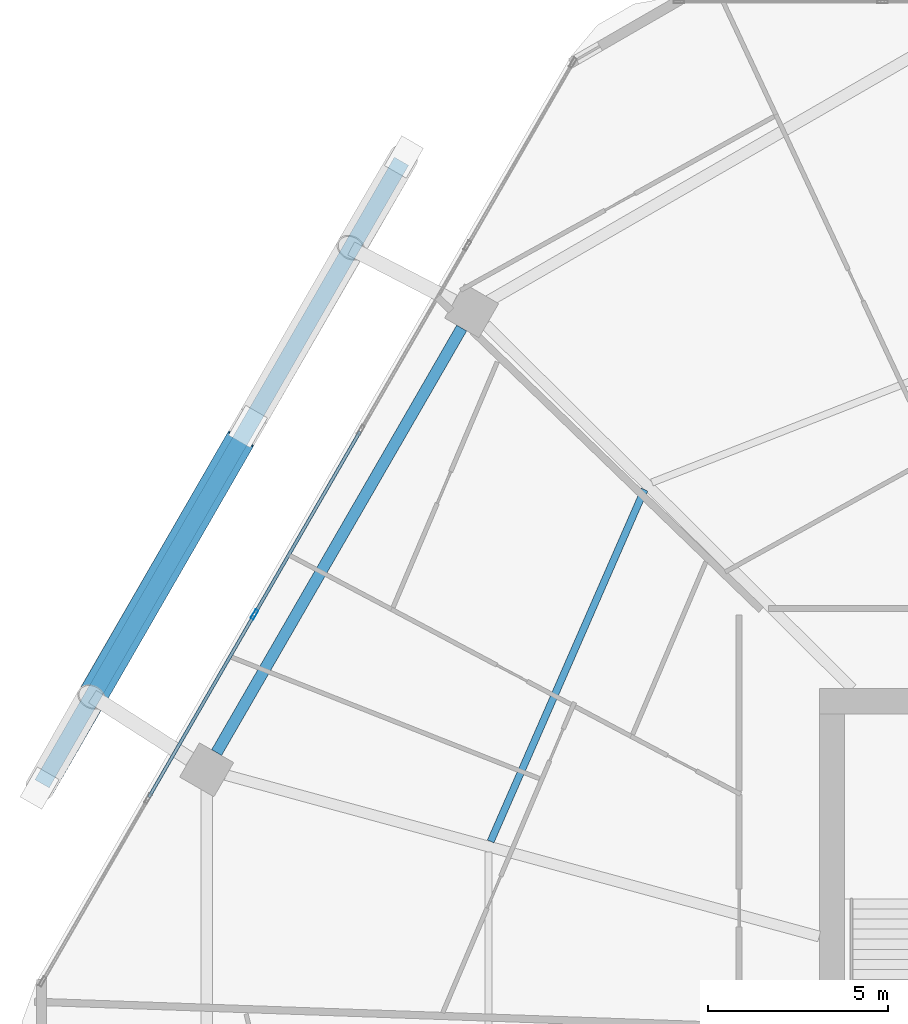
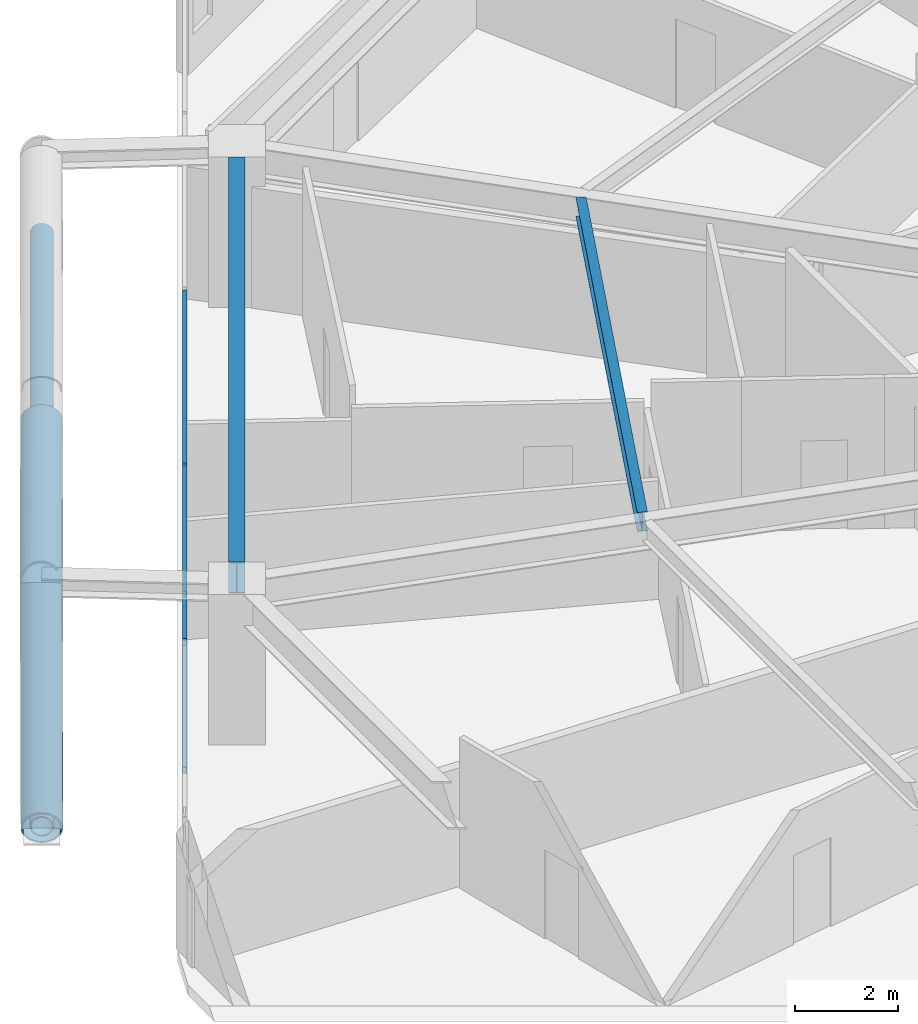
# One storey, part 16 of 35: 7 members, 2 beams, 1 element without a shape of its own.
"""IFC4 building model written with IfcOpenShell, lengths in metres."""

from ifc_helpers import new_model, si_unit, direction, frame, origin, origin_2d, place, context, subcontext, project, spatial, hollow_rectangle, hollow_circle, i_section, extrude, material, material_profile, profile_set, type_object, element, aggregate, save


model = new_model("IFC4")

# Units and contexts
model_context = context("Model", 3, precision=1e-05, world=origin(), true_north=direction((0.0, 1.0)))
body_context = subcontext(model_context, "Body", "Model", "MODEL_VIEW")
ifc_project = project(units=[si_unit("LENGTHUNIT", "METRE"), si_unit("AREAUNIT", "SQUARE_METRE"), si_unit("VOLUMEUNIT", "CUBIC_METRE"), si_unit("PLANEANGLEUNIT", "RADIAN"), si_unit("MASSUNIT", "GRAM", prefix="KILO")], contexts=[model_context])

# Site, building, storey
site_placement = place(None, origin())
site = spatial("IfcSite", under=ifc_project, at=site_placement, CompositionType="ELEMENT")
building_placement = place(site_placement, origin())
building = spatial("IfcBuilding", under=site, at=building_placement, Name="Zuhravey Tower", CompositionType="ELEMENT")
storey_placement = place(building_placement, frame((0.0, 0.0, 138.0)))
storey = spatial("IfcBuildingStorey", under=building, at=storey_placement, Name="L34", CompositionType="ELEMENT", Elevation=138.0)

# Curtain wall, members
ifc_material_1 = material(Name="Thermally broken anodised aluminium", Category="aluminium")
curtain_wall_type = type_object("IfcCurtainWallType", Name="Zone 1-2 Residential Curtain Wall CW3", PredefinedType="NOTDEFINED", material=ifc_material_1)
curtain_wall_placement = place(storey_placement, origin())
curtain_wall = element("IfcCurtainWall", 1, at=curtain_wall_placement, inside=storey, type_object=curtain_wall_type, Name="L34 CW3 CW-L34-F3-1", PredefinedType="NOTDEFINED")
ifc_material_2 = material(Name="Anodised aluminium", Category="aluminium")
ifc_material_profile_1 = material_profile(ifc_material_2, hollow_rectangle(XDim=0.090087890625, YDim=0.284912109375, WallThickness=0.0048828125, at=origin_2d()), Name="ALU-RHS-90x285x5")
ifc_profile_set_1 = profile_set([ifc_material_profile_1], Name="Anodised aluminium")
member_type_1 = type_object("IfcMemberType", Name="Curtain-Wall Mullion 90x180", PredefinedType="MULLION", material=ifc_profile_set_1)
member_1_placement = place(storey_placement, frame((9.44140625, 43.916015625, 0.0), z_axis=(0.0, 0.0, 1.0), x_axis=(-0.86602552265, 0.499999794119, 0.0)))
member_1 = element("IfcMember", 2, at=member_1_placement, type_object=member_type_1, Name="CW3 mullion 3", PredefinedType="MULLION", context=body_context, shape_type="SweptSolid", body=[
    extrude(hollow_rectangle(XDim=0.090087890625, YDim=0.284912109375, WallThickness=0.0048828125, at=origin_2d()), origin(), (0.0, 0.0, 1.0), 3.1220703125),
])
ifc_material_profile_2 = material_profile(ifc_material_2, hollow_rectangle(XDim=0.090087890625, YDim=0.14990234375, WallThickness=0.0048828125, at=origin_2d()), Name="ALU-RHS-90x150x5")
ifc_profile_set_2 = profile_set([ifc_material_profile_2], Name="Anodised aluminium")
member_type_2 = type_object("IfcMemberType", Name="Curtain-Wall Transom 90x150", PredefinedType="USERDEFINED", material=ifc_profile_set_2)
member_2_placement = place(storey_placement, frame((6.50390625, 38.828125, 0.044921875), z_axis=(0.499981042766, 0.866036348472, 0.0), x_axis=(-0.866036348472, 0.499981042766, 0.0)))
member_2 = element("IfcMember", 3, at=member_2_placement, type_object=member_type_2, Name="CW3 transom 2.1", ObjectType="TRANSOM", PredefinedType="USERDEFINED", context=body_context, shape_type="SweptSolid", body=[
    extrude(hollow_rectangle(XDim=0.090087890625, YDim=0.14990234375, WallThickness=0.0048828125, at=origin_2d()), origin(), (0.0, 0.0, 1.0), 5.829833984375),
])
member_3_placement = place(storey_placement, frame((6.50390625, 38.828125, 3.076904296875), z_axis=(0.499981042766, 0.866036348472, 0.0), x_axis=(-0.866036348472, 0.499981042766, 0.0)))
member_3 = element("IfcMember", 4, at=member_3_placement, type_object=member_type_2, Name="CW3 transom 2.2", ObjectType="TRANSOM", PredefinedType="USERDEFINED", context=body_context, shape_type="SweptSolid", body=[
    extrude(hollow_rectangle(XDim=0.090087890625, YDim=0.14990234375, WallThickness=0.0048828125, at=origin_2d()), origin(), (0.0, 0.0, 1.0), 5.829833984375),
])
member_4_placement = place(storey_placement, frame((9.4638671875, 43.954833984375, 0.044921875), z_axis=(0.499981042766, 0.866036348472, 0.0), x_axis=(-0.866036348472, 0.499981042766, 0.0)))
member_4 = element("IfcMember", 5, at=member_4_placement, type_object=member_type_2, Name="CW3 transom 3.1", ObjectType="TRANSOM", PredefinedType="USERDEFINED", context=body_context, shape_type="SweptSolid", body=[
    extrude(hollow_rectangle(XDim=0.090087890625, YDim=0.14990234375, WallThickness=0.0048828125, at=origin_2d()), origin(), (0.0, 0.0, 1.0), 5.829833984375),
])
member_5_placement = place(storey_placement, frame((9.4638671875, 43.954833984375, 3.076904296875), z_axis=(0.499981042766, 0.866036348472, 0.0), x_axis=(-0.866036348472, 0.499981042766, 0.0)))
member_5 = element("IfcMember", 6, at=member_5_placement, type_object=member_type_2, Name="CW3 transom 3.2", ObjectType="TRANSOM", PredefinedType="USERDEFINED", context=body_context, shape_type="SweptSolid", body=[
    extrude(hollow_rectangle(XDim=0.090087890625, YDim=0.14990234375, WallThickness=0.0048828125, at=origin_2d()), origin(), (0.0, 0.0, 1.0), 5.829833984375),
])
aggregate(curtain_wall, [member_1, member_2, member_3, member_4, member_5])

# Members
ifc_material_3 = material(Name="Steel SM355", Category="steel")
ifc_material_profile_3 = material_profile(ifc_material_3, hollow_circle(Radius=0.228515625, WallThickness=0.02197265625, at=origin_2d()), Name="CHS-457.2x22")
ifc_profile_set_3 = profile_set([ifc_material_profile_3], Name="Steel SM355")
member_type_3 = type_object("IfcMemberType", Name="Exoskeleton Ring Tie CHS457x22", PredefinedType="CHORD", material=ifc_profile_set_3)
member_6_placement = place(storey_placement, frame((13.529296875, 56.516845703125, -0.464111328125), z_axis=(-0.499987058157, -0.866032875632, 0.0), x_axis=(0.866032875632, -0.499987058157, 0.0)))
element("IfcMember", 7, at=member_6_placement, inside=storey, type_object=member_type_3, Name="L34 Exoskeleton Face 3 Tie EXR1", PredefinedType="CHORD", context=body_context, shape_type="SweptSolid", body=[
    extrude(hollow_circle(Radius=0.228515625, WallThickness=0.02197265625, at=origin_2d()), origin(), (0.0, 0.0, 1.0), 19.99365234375),
])
ifc_material_4 = material(Name="Steel SM460", Category="steel")
ifc_material_profile_4 = material_profile(ifc_material_4, hollow_circle(Radius=0.406494140625, WallThickness=0.035888671875, at=origin_2d()), Name="CHS-812.8x36")
ifc_profile_set_4 = profile_set([ifc_material_profile_4], Name="Steel SM460")
member_type_4 = type_object("IfcMemberType", Name="Exoskeleton Zone 1 Diagrid CHS813x36", PredefinedType="BRACE", material=ifc_profile_set_4)
member_7_placement = place(storey_placement, frame((3.498779296875, 39.143310546875, -0.4521484375), z_axis=(0.492874168395, 0.854973889706, 0.161538546638), x_axis=(-0.866352210241, 0.499433526919, 0.0)))
element("IfcMember", 8, at=member_7_placement, inside=storey, type_object=member_type_4, Name="L34 Face 3 Split Diagrid Brace 3A", PredefinedType="BRACE", context=body_context, shape_type="SweptSolid", body=[
    extrude(hollow_circle(Radius=0.406494140625, WallThickness=0.035888671875, at=origin_2d()), origin(), (0.0, 0.0, 1.0), 11.292724609375),
])

# Beams
ifc_material_profile_5 = material_profile(ifc_material_3, i_section(OverallWidth=0.320068359375, OverallDepth=0.75, WebThickness=0.013916015625, FlangeThickness=0.02490234375, at=origin_2d()), Name="H-750x320x14x25")
ifc_profile_set_5 = profile_set([ifc_material_profile_5], Name="Steel SM355")
beam_type_1 = type_object("IfcBeamType", Name="Perimeter Ring Beam H750x320", PredefinedType="BEAM", material=ifc_profile_set_5)
beam_1_placement = place(storey_placement, frame((15.20458984375, 51.8779296875, 3.175048828125), z_axis=(-0.500008177929, -0.866020682204, 0.0), x_axis=(0.866020682204, -0.500008177929, 0.0)))
element("IfcBeam", 9, at=beam_1_placement, inside=storey, type_object=beam_type_1, Name="L34 PB1 BM-L34-PB-05", PredefinedType="BEAM", context=body_context, shape_type="SweptSolid", body=[
    extrude(i_section(OverallWidth=0.320068359375, OverallDepth=0.75, WebThickness=0.013916015625, FlangeThickness=0.02490234375, at=origin_2d()), origin(), (0.0, 0.0, 1.0), 13.634033203125),
])
ifc_material_profile_6 = material_profile(ifc_material_3, i_section(OverallWidth=0.199951171875, OverallDepth=0.449951171875, WebThickness=0.009033203125, FlangeThickness=0.013916015625, at=origin_2d()), Name="H-450x200x9x14")
ifc_profile_set_6 = profile_set([ifc_material_profile_6], Name="Steel SM355")
beam_type_2 = type_object("IfcBeamType", Name="Secondary Floor Joist H450x200", PredefinedType="JOIST", material=ifc_profile_set_6)
beam_2_placement = place(storey_placement, frame((20.28955078125, 47.384033203125, 3.324951171875), z_axis=(-0.400786454617, -0.916171500209, 0.0), x_axis=(0.916171500209, -0.400786454617, 0.0)))
element("IfcBeam", 10, at=beam_2_placement, inside=storey, type_object=beam_type_2, Name="L34 SJ1 BM-L34-SJ-05-1", PredefinedType="JOIST", context=body_context, shape_type="SweptSolid", body=[
    extrude(i_section(OverallWidth=0.199951171875, OverallDepth=0.449951171875, WebThickness=0.009033203125, FlangeThickness=0.013916015625, at=origin_2d()), origin(), (0.0, 0.0, 1.0), 10.6796875),
])

save(model, "model.ifc")
